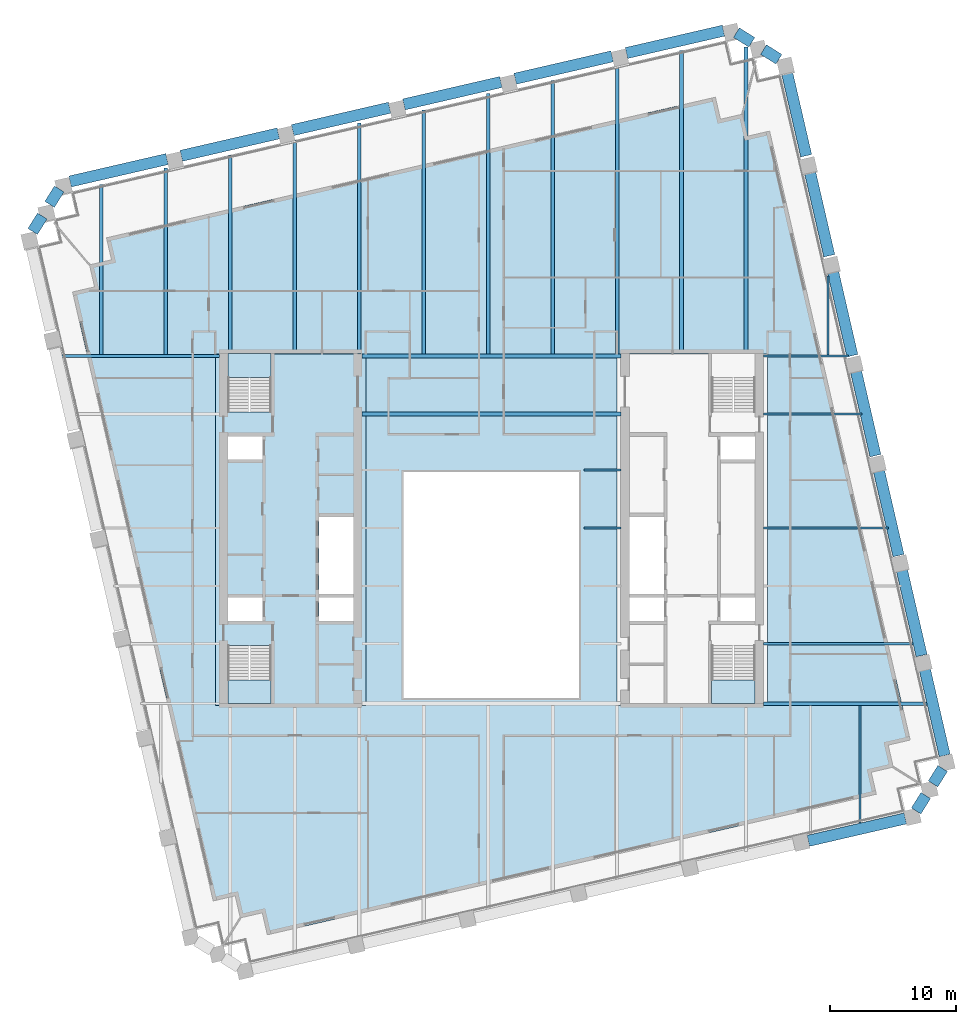
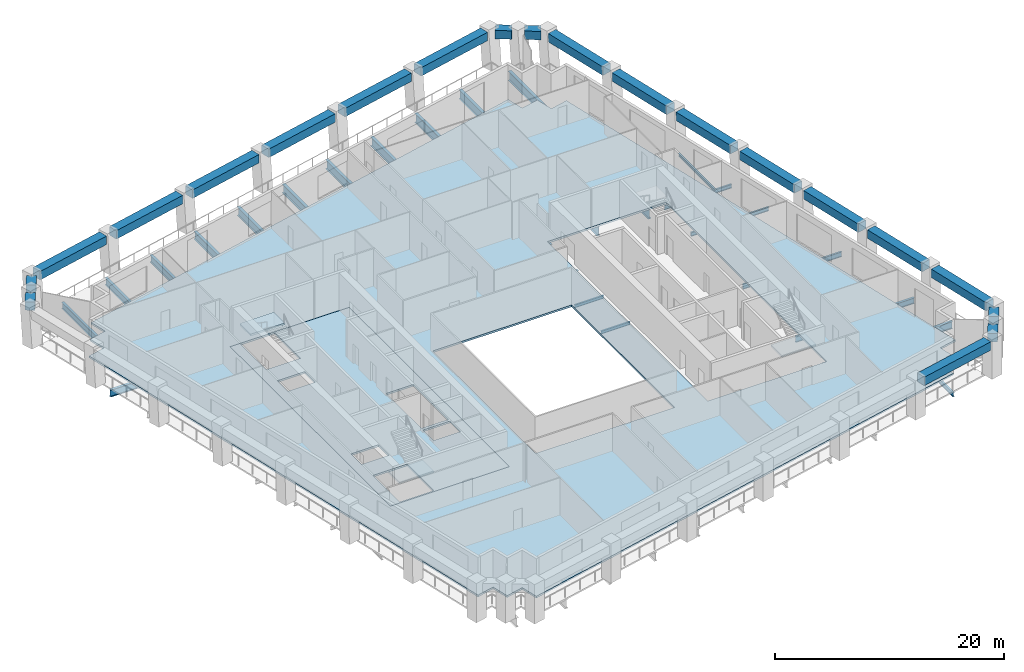
# One storey, part 2 of 10: 43 beams, 5 slabs, 3 elements without a shape of their own.
"""IFC4 building model written with IfcOpenShell, lengths in metres."""

from ifc_helpers import new_model, si_unit, direction, frame, origin, origin_2d, place, context, subcontext, project, spatial, polyline, rectangle, i_section, outline, extrude, material, layer, layer_set, material_profile, profile_set, type_object, element, aggregate, save


model = new_model("IFC4")

# Units and contexts
model_context = context("Model", 3, precision=1e-05, world=origin(), true_north=direction((0.0, 1.0)))
body_context = subcontext(model_context, "Body", "Model", "MODEL_VIEW")
ifc_project = project(units=[si_unit("LENGTHUNIT", "METRE"), si_unit("AREAUNIT", "SQUARE_METRE"), si_unit("VOLUMEUNIT", "CUBIC_METRE"), si_unit("PLANEANGLEUNIT", "RADIAN"), si_unit("MASSUNIT", "GRAM", prefix="KILO")], contexts=[model_context])

# Site, building, storey
site_placement = place(None, origin())
site = spatial("IfcSite", under=ifc_project, at=site_placement, CompositionType="ELEMENT")
building_placement = place(site_placement, origin())
building = spatial("IfcBuilding", under=site, at=building_placement, Name="Ogive Exchange Tower", CompositionType="ELEMENT")
storey_placement = place(building_placement, frame((0.0, 0.0, 192.60009765625)))
storey = spatial("IfcBuildingStorey", under=building, at=storey_placement, Name="L42", CompositionType="ELEMENT", Elevation=192.60009765625)

# Beams
ifc_material_1 = material(Name="Steel ASTM A992 Gr50", Category="steel")
ifc_material_profile_1 = material_profile(ifc_material_1, i_section(OverallWidth=0.300048828125, OverallDepth=0.97998046875, WebThickness=0.0166015625, FlangeThickness=0.026123046875, at=origin_2d()), Name="W1000x249")
ifc_profile_set_1 = profile_set([ifc_material_profile_1], Name="Steel ASTM A992 Gr50")
beam_type_1 = type_object("IfcBeamType", Name="Floor beam W1000x249", PredefinedType="JOIST", material=ifc_profile_set_1)
beam_1_placement = place(storey_placement, frame((-10.320068359375, 20.62255859375, -0.690185546875), z_axis=(1.0, 0.0, 0.0), x_axis=(0.0, 1.0, 0.0)))
element("IfcBeam", 1, at=beam_1_placement, inside=storey, type_object=beam_type_1, Name="Floor beam", PredefinedType="JOIST", context=body_context, shape_type="SweptSolid", body=[
    extrude(i_section(OverallWidth=0.300048828125, OverallDepth=0.97998046875, WebThickness=0.0166015625, FlangeThickness=0.026123046875, at=origin_2d()), origin(), (0.0, 0.0, 1.0), 20.64013671875),
])
beam_2_placement = place(storey_placement, frame((-0.255126953125, 25.39501953125, -0.690185546875), z_axis=(0.0, 1.0, 0.0), x_axis=(-1.0, 0.0, 0.0)))
element("IfcBeam", 2, at=beam_2_placement, inside=storey, type_object=beam_type_1, Name="Floor beam", PredefinedType="JOIST", context=body_context, shape_type="SweptSolid", body=[
    extrude(i_section(OverallWidth=0.300048828125, OverallDepth=0.97998046875, WebThickness=0.0166015625, FlangeThickness=0.026123046875, at=origin_2d()), origin(), (0.0, 0.0, 1.0), 20.775634765625),
])
beam_3_placement = place(storey_placement, frame((4.882568359375, 25.39501953125, -0.690185546875), z_axis=(0.0, 1.0, 0.0), x_axis=(-1.0, 0.0, 0.0)))
element("IfcBeam", 3, at=beam_3_placement, inside=storey, type_object=beam_type_1, Name="Floor beam", PredefinedType="JOIST", context=body_context, shape_type="SweptSolid", body=[
    extrude(i_section(OverallWidth=0.300048828125, OverallDepth=0.97998046875, WebThickness=0.0166015625, FlangeThickness=0.026123046875, at=origin_2d()), origin(), (0.0, 0.0, 1.0), 21.811767578125),
])
beam_4_placement = place(storey_placement, frame((10.0205078125, 25.39501953125, -0.690185546875), z_axis=(0.0, 1.0, 0.0), x_axis=(-1.0, 0.0, 0.0)))
element("IfcBeam", 4, at=beam_4_placement, inside=storey, type_object=beam_type_1, Name="Floor beam", PredefinedType="JOIST", context=body_context, shape_type="SweptSolid", body=[
    extrude(i_section(OverallWidth=0.300048828125, OverallDepth=0.97998046875, WebThickness=0.0166015625, FlangeThickness=0.026123046875, at=origin_2d()), origin(), (0.0, 0.0, 1.0), 22.997802734375),
])
beam_5_placement = place(storey_placement, frame((15.158203125, 25.39990234375, -0.690185546875), z_axis=(0.0, 1.0, 0.0), x_axis=(-1.0, 0.0, 0.0)))
element("IfcBeam", 5, at=beam_5_placement, inside=storey, type_object=beam_type_1, Name="Floor beam", PredefinedType="JOIST", context=body_context, shape_type="SweptSolid", body=[
    extrude(i_section(OverallWidth=0.300048828125, OverallDepth=0.97998046875, WebThickness=0.0166015625, FlangeThickness=0.026123046875, at=origin_2d()), origin(), (0.0, 0.0, 1.0), 24.17919921875),
])
beam_6_placement = place(storey_placement, frame((20.296142578125, 25.39990234375, -0.690185546875), z_axis=(0.0, 1.0, 0.0), x_axis=(-1.0, 0.0, 0.0)))
element("IfcBeam", 6, at=beam_6_placement, inside=storey, type_object=beam_type_1, Name="Floor beam", PredefinedType="JOIST", context=body_context, shape_type="SweptSolid", body=[
    extrude(i_section(OverallWidth=0.300048828125, OverallDepth=0.97998046875, WebThickness=0.0166015625, FlangeThickness=0.026123046875, at=origin_2d()), origin(), (0.0, 0.0, 1.0), 24.456298828125),
])
ifc_material_profile_2 = material_profile(ifc_material_1, i_section(OverallWidth=0.1650390625, OverallDepth=0.31005859375, WebThickness=0.005859375, FlangeThickness=0.009765625, at=origin_2d()), Name="W310x38.7")
ifc_profile_set_2 = profile_set([ifc_material_profile_2], Name="Steel ASTM A992 Gr50")
beam_type_2 = type_object("IfcBeamType", Name="Floor beam W310x38.7", PredefinedType="JOIST", material=ifc_profile_set_2)
beam_7_placement = place(storey_placement, frame((7.3701171875, 11.543701171875, -0.35498046875), z_axis=(1.0, 0.0, 0.0), x_axis=(0.0, 1.0, 0.0)))
element("IfcBeam", 7, at=beam_7_placement, inside=storey, type_object=beam_type_2, Name="Floor beam", PredefinedType="JOIST", context=body_context, shape_type="SweptSolid", body=[
    extrude(i_section(OverallWidth=0.1650390625, OverallDepth=0.31005859375, WebThickness=0.005859375, FlangeThickness=0.009765625, at=origin_2d()), origin(), (0.0, 0.0, 1.0), 2.949951171875),
])
beam_8_placement = place(storey_placement, frame((26.833984375, 25.333984375, -0.35498046875), z_axis=(0.0, 1.0, 0.0), x_axis=(-1.0, 0.0, 0.0)))
element("IfcBeam", 8, at=beam_8_placement, inside=storey, type_object=beam_type_2, Name="Floor beam", PredefinedType="JOIST", context=body_context, shape_type="SweptSolid", body=[
    extrude(i_section(OverallWidth=0.1650390625, OverallDepth=0.31005859375, WebThickness=0.005859375, FlangeThickness=0.009765625, at=origin_2d()), origin(), (0.0, 0.0, 1.0), 6.29833984375),
])
ifc_material_profile_3 = material_profile(ifc_material_1, i_section(OverallWidth=0.177978515625, OverallDepth=0.406005859375, WebThickness=0.0078125, FlangeThickness=0.0126953125, at=origin_2d()), Name="W410x60")
ifc_profile_set_3 = profile_set([ifc_material_profile_3], Name="Steel ASTM A992 Gr50")
beam_type_3 = type_object("IfcBeamType", Name="Floor beam W410x60", PredefinedType="JOIST", material=ifc_profile_set_3)
beam_9_placement = place(storey_placement, frame((21.679931640625, 20.62255859375, -0.403076171875), z_axis=(1.0, 0.0, 0.0), x_axis=(0.0, 1.0, 0.0)))
element("IfcBeam", 9, at=beam_9_placement, inside=storey, type_object=beam_type_3, Name="Floor beam", PredefinedType="JOIST", context=body_context, shape_type="SweptSolid", body=[
    extrude(i_section(OverallWidth=0.177978515625, OverallDepth=0.406005859375, WebThickness=0.0078125, FlangeThickness=0.0126953125, at=origin_2d()), origin(), (0.0, 0.0, 1.0), 7.845703125),
])
ifc_material_profile_4 = material_profile(ifc_material_1, i_section(OverallWidth=0.19091796875, OverallDepth=0.45703125, WebThickness=0.009033203125, FlangeThickness=0.014404296875, at=origin_2d()), Name="W460x74")
ifc_profile_set_4 = profile_set([ifc_material_profile_4], Name="Steel ASTM A992 Gr50")
beam_type_4 = type_object("IfcBeamType", Name="Floor beam W460x74", PredefinedType="JOIST", material=ifc_profile_set_4)
beam_10_placement = place(storey_placement, frame((29.37158203125, -11.969970703125, -0.4287109375), z_axis=(0.0, 1.0, 0.0), x_axis=(-1.0, 0.0, 0.0)))
element("IfcBeam", 10, at=beam_10_placement, inside=storey, type_object=beam_type_4, Name="Floor beam", PredefinedType="JOIST", context=body_context, shape_type="SweptSolid", body=[
    extrude(i_section(OverallWidth=0.19091796875, OverallDepth=0.45703125, WebThickness=0.009033203125, FlangeThickness=0.014404296875, at=origin_2d()), origin(), (0.0, 0.0, 1.0), 9.391357421875),
])
ifc_material_profile_5 = material_profile(ifc_material_1, i_section(OverallWidth=0.1669921875, OverallDepth=0.535888671875, WebThickness=0.01025390625, FlangeThickness=0.0166015625, at=origin_2d()), Name="W530x85")
ifc_profile_set_5 = profile_set([ifc_material_profile_5], Name="Steel ASTM A992 Gr50")
beam_type_5 = type_object("IfcBeamType", Name="Floor beam W530x85", PredefinedType="JOIST", material=ifc_profile_set_5)
beam_11_placement = place(storey_placement, frame((21.679931640625, 11.543701171875, -0.468017578125), z_axis=(1.0, 0.0, 0.0), x_axis=(0.0, 1.0, 0.0)))
element("IfcBeam", 11, at=beam_11_placement, inside=storey, type_object=beam_type_5, Name="Floor beam", PredefinedType="JOIST", context=body_context, shape_type="SweptSolid", body=[
    extrude(i_section(OverallWidth=0.1669921875, OverallDepth=0.535888671875, WebThickness=0.01025390625, FlangeThickness=0.0166015625, at=origin_2d()), origin(), (0.0, 0.0, 1.0), 9.941650390625),
])
ifc_material_profile_6 = material_profile(ifc_material_1, i_section(OverallWidth=0.22802734375, OverallDepth=0.60205078125, WebThickness=0.010498046875, FlangeThickness=0.014892578125, at=origin_2d()), Name="W610x101")
ifc_profile_set_6 = profile_set([ifc_material_profile_6], Name="Steel ASTM A992 Gr50")
beam_type_6 = type_object("IfcBeamType", Name="Floor beam W610x101", PredefinedType="JOIST", material=ifc_profile_set_6)
beam_12_placement = place(storey_placement, frame((21.679931640625, 2.3212890625, -0.5009765625), z_axis=(1.0, 0.0, 0.0), x_axis=(0.0, 1.0, 0.0)))
element("IfcBeam", 12, at=beam_12_placement, inside=storey, type_object=beam_type_6, Name="Floor beam", PredefinedType="JOIST", context=body_context, shape_type="SweptSolid", body=[
    extrude(i_section(OverallWidth=0.22802734375, OverallDepth=0.60205078125, WebThickness=0.010498046875, FlangeThickness=0.014892578125, at=origin_2d()), origin(), (0.0, 0.0, 1.0), 11.9208984375),
])
ifc_material_profile_7 = material_profile(ifc_material_1, i_section(OverallWidth=0.25390625, OverallDepth=0.677978515625, WebThickness=0.01171875, FlangeThickness=0.016357421875, at=origin_2d()), Name="W690x125")
ifc_profile_set_7 = profile_set([ifc_material_profile_7], Name="Steel ASTM A992 Gr50")
beam_type_7 = type_object("IfcBeamType", Name="Floor beam W690x125", PredefinedType="JOIST", material=ifc_profile_set_7)
beam_13_placement = place(storey_placement, frame((-31.08203125, 25.37841796875, -0.5390625), z_axis=(0.0, 1.0, 0.0), x_axis=(-1.0, 0.0, 0.0)))
element("IfcBeam", 13, at=beam_13_placement, inside=storey, type_object=beam_type_7, Name="Floor beam", PredefinedType="JOIST", context=body_context, shape_type="SweptSolid", body=[
    extrude(i_section(OverallWidth=0.25390625, OverallDepth=0.677978515625, WebThickness=0.01171875, FlangeThickness=0.016357421875, at=origin_2d()), origin(), (0.0, 0.0, 1.0), 13.525390625),
])
ifc_material_profile_8 = material_profile(ifc_material_1, i_section(OverallWidth=0.26708984375, OverallDepth=0.75390625, WebThickness=0.01318359375, FlangeThickness=0.01708984375, at=origin_2d()), Name="W760x147")
ifc_profile_set_8 = profile_set([ifc_material_profile_8], Name="Steel ASTM A992 Gr50")
beam_type_8 = type_object("IfcBeamType", Name="Floor beam W760x147", PredefinedType="JOIST", material=ifc_profile_set_8)
beam_14_placement = place(storey_placement, frame((-25.9443359375, 25.37841796875, -0.5771484375), z_axis=(0.0, 1.0, 0.0), x_axis=(-1.0, 0.0, 0.0)))
element("IfcBeam", 14, at=beam_14_placement, inside=storey, type_object=beam_type_8, Name="Floor beam", PredefinedType="JOIST", context=body_context, shape_type="SweptSolid", body=[
    extrude(i_section(OverallWidth=0.26708984375, OverallDepth=0.75390625, WebThickness=0.01318359375, FlangeThickness=0.01708984375, at=origin_2d()), origin(), (0.0, 0.0, 1.0), 14.861328125),
])
ifc_material_profile_9 = material_profile(ifc_material_1, i_section(OverallWidth=0.26708984375, OverallDepth=0.761962890625, WebThickness=0.014404296875, FlangeThickness=0.021484375, at=origin_2d()), Name="W760x173")
ifc_profile_set_9 = profile_set([ifc_material_profile_9], Name="Steel ASTM A992 Gr50")
beam_type_9 = type_object("IfcBeamType", Name="Floor beam W760x173", PredefinedType="JOIST", material=ifc_profile_set_9)
beam_15_placement = place(storey_placement, frame((-20.806396484375, 25.39990234375, -0.5810546875), z_axis=(0.0, 1.0, 0.0), x_axis=(-1.0, 0.0, 0.0)))
element("IfcBeam", 15, at=beam_15_placement, inside=storey, type_object=beam_type_9, Name="Floor beam", PredefinedType="JOIST", context=body_context, shape_type="SweptSolid", body=[
    extrude(i_section(OverallWidth=0.26708984375, OverallDepth=0.761962890625, WebThickness=0.014404296875, FlangeThickness=0.021484375, at=origin_2d()), origin(), (0.0, 0.0, 1.0), 15.8759765625),
])
ifc_material_profile_10 = material_profile(ifc_material_1, i_section(OverallWidth=0.2919921875, OverallDepth=0.8359375, WebThickness=0.013916015625, FlangeThickness=0.018798828125, at=origin_2d()), Name="W840x176")
ifc_profile_set_10 = profile_set([ifc_material_profile_10], Name="Steel ASTM A992 Gr50")
beam_type_10 = type_object("IfcBeamType", Name="Floor beam W840x176", PredefinedType="JOIST", material=ifc_profile_set_10)
beam_16_placement = place(storey_placement, frame((-15.668701171875, 25.39990234375, -0.6181640625), z_axis=(0.0, 1.0, 0.0), x_axis=(-1.0, 0.0, 0.0)))
element("IfcBeam", 16, at=beam_16_placement, inside=storey, type_object=beam_type_10, Name="Floor beam", PredefinedType="JOIST", context=body_context, shape_type="SweptSolid", body=[
    extrude(i_section(OverallWidth=0.2919921875, OverallDepth=0.8359375, WebThickness=0.013916015625, FlangeThickness=0.018798828125, at=origin_2d()), origin(), (0.0, 0.0, 1.0), 17.062255859375),
])
ifc_material_profile_11 = material_profile(ifc_material_1, i_section(OverallWidth=0.304931640625, OverallDepth=0.904052734375, WebThickness=0.01513671875, FlangeThickness=0.02001953125, at=origin_2d()), Name="W920x201")
ifc_profile_set_11 = profile_set([ifc_material_profile_11], Name="Steel ASTM A992 Gr50")
beam_type_11 = type_object("IfcBeamType", Name="Floor beam W920x201", PredefinedType="JOIST", material=ifc_profile_set_11)
beam_17_placement = place(storey_placement, frame((-10.53076171875, 25.39990234375, -0.652099609375), z_axis=(0.0, 1.0, 0.0), x_axis=(-1.0, 0.0, 0.0)))
element("IfcBeam", 17, at=beam_17_placement, inside=storey, type_object=beam_type_11, Name="Floor beam", PredefinedType="JOIST", context=body_context, shape_type="SweptSolid", body=[
    extrude(i_section(OverallWidth=0.304931640625, OverallDepth=0.904052734375, WebThickness=0.01513671875, FlangeThickness=0.02001953125, at=origin_2d()), origin(), (0.0, 0.0, 1.0), 18.3984375),
])
ifc_material_profile_12 = material_profile(ifc_material_1, i_section(OverallWidth=0.306884765625, OverallDepth=0.927001953125, WebThickness=0.019287109375, FlangeThickness=0.031982421875, at=origin_2d()), Name="W920x289")
ifc_profile_set_12 = profile_set([ifc_material_profile_12], Name="Steel ASTM A992 Gr50")
beam_type_12 = type_object("IfcBeamType", Name="Floor beam W920x289", PredefinedType="JOIST", material=ifc_profile_set_12)
beam_18_placement = place(storey_placement, frame((-5.39306640625, 25.39501953125, -0.66357421875), z_axis=(0.0, 1.0, 0.0), x_axis=(-1.0, 0.0, 0.0)))
element("IfcBeam", 18, at=beam_18_placement, inside=storey, type_object=beam_type_12, Name="Floor beam", PredefinedType="JOIST", context=body_context, shape_type="SweptSolid", body=[
    extrude(i_section(OverallWidth=0.306884765625, OverallDepth=0.927001953125, WebThickness=0.019287109375, FlangeThickness=0.031982421875, at=origin_2d()), origin(), (0.0, 0.0, 1.0), 19.439453125),
])
ifc_material_profile_13 = material_profile(ifc_material_1, i_section(OverallWidth=0.300048828125, OverallDepth=0.97998046875, WebThickness=0.0166015625, FlangeThickness=0.026123046875, at=origin_2d()), Name="W1000x249")
ifc_profile_set_13 = profile_set([ifc_material_profile_13], Name="Steel ASTM A992 Gr50")
beam_type_13 = type_object("IfcBeamType", Name="Girder W1000x249", PredefinedType="BEAM", material=ifc_profile_set_13)
beam_19_placement = place(storey_placement, frame((-10.320068359375, 25.2451171875, -0.690185546875), z_axis=(1.0, 0.0, 0.0), x_axis=(0.0, 1.0, 0.0)))
element("IfcBeam", 19, at=beam_19_placement, inside=storey, type_object=beam_type_13, Name="Header girder", PredefinedType="BEAM", context=body_context, shape_type="SweptSolid", body=[
    extrude(i_section(OverallWidth=0.300048828125, OverallDepth=0.97998046875, WebThickness=0.0166015625, FlangeThickness=0.026123046875, at=origin_2d()), origin(), (0.0, 0.0, 1.0), 20.64013671875),
])
ifc_material_profile_14 = material_profile(ifc_material_1, i_section(OverallWidth=0.1650390625, OverallDepth=0.31005859375, WebThickness=0.005859375, FlangeThickness=0.009765625, at=origin_2d()), Name="W310x38.7")
ifc_profile_set_14 = profile_set([ifc_material_profile_14], Name="Steel ASTM A992 Gr50")
beam_type_14 = type_object("IfcBeamType", Name="Girder W310x38.7", PredefinedType="BEAM", material=ifc_profile_set_14)
beam_20_placement = place(storey_placement, frame((7.3701171875, 16.155029296875, -0.35498046875), z_axis=(1.0, 0.0, 0.0), x_axis=(0.0, 1.0, 0.0)))
element("IfcBeam", 20, at=beam_20_placement, inside=storey, type_object=beam_type_14, Name="Trimmer girder", PredefinedType="BEAM", context=body_context, shape_type="SweptSolid", body=[
    extrude(i_section(OverallWidth=0.1650390625, OverallDepth=0.31005859375, WebThickness=0.005859375, FlangeThickness=0.009765625, at=origin_2d()), origin(), (0.0, 0.0, 1.0), 2.949951171875),
])
ifc_material_profile_15 = material_profile(ifc_material_1, i_section(OverallWidth=0.177978515625, OverallDepth=0.406005859375, WebThickness=0.0078125, FlangeThickness=0.0126953125, at=origin_2d()), Name="W410x60")
ifc_profile_set_15 = profile_set([ifc_material_profile_15], Name="Steel ASTM A992 Gr50")
beam_type_15 = type_object("IfcBeamType", Name="Girder W410x60", PredefinedType="BEAM", material=ifc_profile_set_15)
beam_21_placement = place(storey_placement, frame((21.679931640625, 25.2451171875, -0.403076171875), z_axis=(1.0, 0.0, 0.0), x_axis=(0.0, 1.0, 0.0)))
element("IfcBeam", 21, at=beam_21_placement, inside=storey, type_object=beam_type_15, Name="Header girder", PredefinedType="BEAM", context=body_context, shape_type="SweptSolid", body=[
    extrude(i_section(OverallWidth=0.177978515625, OverallDepth=0.406005859375, WebThickness=0.0078125, FlangeThickness=0.0126953125, at=origin_2d()), origin(), (0.0, 0.0, 1.0), 6.778564453125),
])
ifc_material_profile_16 = material_profile(ifc_material_1, i_section(OverallWidth=0.26708984375, OverallDepth=0.75390625, WebThickness=0.01318359375, FlangeThickness=0.01708984375, at=origin_2d()), Name="W760x147")
ifc_profile_set_16 = profile_set([ifc_material_profile_16], Name="Steel ASTM A992 Gr50")
beam_type_16 = type_object("IfcBeamType", Name="Girder W760x147", PredefinedType="BEAM", material=ifc_profile_set_16)
beam_22_placement = place(storey_placement, frame((21.679931640625, -2.445068359375, -0.5771484375), z_axis=(1.0, 0.0, 0.0), x_axis=(0.0, 1.0, 0.0)))
element("IfcBeam", 22, at=beam_22_placement, inside=storey, type_object=beam_type_16, Name="Header girder", PredefinedType="BEAM", context=body_context, shape_type="SweptSolid", body=[
    extrude(i_section(OverallWidth=0.26708984375, OverallDepth=0.75390625, WebThickness=0.01318359375, FlangeThickness=0.01708984375, at=origin_2d()), origin(), (0.0, 0.0, 1.0), 13.021484375),
])
beam_23_placement = place(storey_placement, frame((-34.193359375, 25.2451171875, -0.5771484375), z_axis=(1.0, 0.0, 0.0), x_axis=(0.0, 1.0, 0.0)))
element("IfcBeam", 23, at=beam_23_placement, inside=storey, type_object=beam_type_16, Name="Header girder", PredefinedType="BEAM", context=body_context, shape_type="SweptSolid", body=[
    extrude(i_section(OverallWidth=0.26708984375, OverallDepth=0.75390625, WebThickness=0.01318359375, FlangeThickness=0.01708984375, at=origin_2d()), origin(), (0.0, 0.0, 1.0), 12.513427734375),
])
ifc_material_2 = material(Name="Precast concrete C70/85 (limestone faced)", Category="masonry")
ifc_material_profile_17 = material_profile(ifc_material_2, rectangle(XDim=0.89990234375, YDim=0.89990234375, at=origin_2d()), Name="900 x 900")
ifc_profile_set_17 = profile_set([ifc_material_profile_17], Name="Precast concrete C70/85 (limestone faced)")
beam_type_17 = type_object("IfcBeamType", Name="Precast spandrel 900 x 900 C70/85", PredefinedType="SPANDREL", material=ifc_profile_set_17)
beam_24_placement = place(storey_placement, frame((25.249755859375, -13.383544921875, 3.5), z_axis=(0.974368388194, 0.224958316335, 0.0), x_axis=(-0.224958316335, 0.974368388194, 0.0)))
element("IfcBeam", 24, at=beam_24_placement, inside=storey, type_object=beam_type_17, Name="Spandrel 6", PredefinedType="SPANDREL", context=body_context, shape_type="SweptSolid", body=[
    extrude(rectangle(XDim=0.89990234375, YDim=0.89990234375, at=origin_2d()), origin(), (0.0, 0.0, 1.0), 7.93994140625),
])
for number, where, z_axis, x_axis, name in (
    (25, (33.842041015625, -11.001708984375, 3.5), (0.529877740036, 0.848074041941, 0.0), (-0.848074041941, 0.529877740036, 0.0), "Spandrel 7"),
    (26, (35.19091796875, -8.843017578125, 3.5), (0.529877740036, 0.848074041941, 0.0), (-0.848074041941, 0.529877740036, 0.0), "Spandrel 8"),
):
    element("IfcBeam", number, at=place(storey_placement, frame(where, z_axis=z_axis, x_axis=x_axis)), inside=storey, type_object=beam_type_17, Name=name, PredefinedType="SPANDREL", context=body_context, shape_type="SweptSolid", body=[
        extrude(rectangle(XDim=0.89990234375, YDim=0.89990234375, at=origin_2d()), origin(), (0.0, 0.0, 1.0), 1.448486328125),
    ])
for number, where, z_axis, x_axis, name in (
    (27, (36.11865234375, -6.584228515625, 3.5), (-0.224945932181, 0.974371247316, 0.0), (-0.974371247316, -0.224945932181, 0.0), "Spandrel 9"),
    (28, (34.27978515625, 1.380859375, 3.5), (-0.224945932181, 0.974371247316, 0.0), (-0.974371247316, -0.224945932181, 0.0), "Spandrel 10"),
    (29, (32.44091796875, 9.345947265625, 3.5), (-0.224945932181, 0.974371247316, 0.0), (-0.974371247316, -0.224945932181, 0.0), "Spandrel 11"),
):
    element("IfcBeam", number, at=place(storey_placement, frame(where, z_axis=z_axis, x_axis=x_axis)), inside=storey, type_object=beam_type_17, Name=name, PredefinedType="SPANDREL", context=body_context, shape_type="SweptSolid", body=[
        extrude(rectangle(XDim=0.89990234375, YDim=0.89990234375, at=origin_2d()), origin(), (0.0, 0.0, 1.0), 7.014404296875),
    ])
beam_25_placement = place(storey_placement, frame((30.60205078125, 17.310791015625, 3.5), z_axis=(-0.224938303802, 0.974373008392, 0.0), x_axis=(-0.974373008392, -0.224938303802, 0.0)))
element("IfcBeam", 30, at=beam_25_placement, inside=storey, type_object=beam_type_17, Name="Spandrel 12", PredefinedType="SPANDREL", context=body_context, shape_type="SweptSolid", body=[
    extrude(rectangle(XDim=0.89990234375, YDim=0.89990234375, at=origin_2d()), origin(), (0.0, 0.0, 1.0), 7.0146484375),
])
for number, where, z_axis, x_axis, name in (
    (31, (28.76318359375, 25.27587890625, 3.5), (-0.224945932181, 0.974371247316, 0.0), (-0.974371247316, -0.224945932181, 0.0), "Spandrel 13"),
    (32, (26.92431640625, 33.240966796875, 3.5), (-0.224945932181, 0.974371247316, 0.0), (-0.974371247316, -0.224945932181, 0.0), "Spandrel 14"),
    (33, (25.08544921875, 41.2060546875, 3.5), (-0.224945932181, 0.974371247316, 0.0), (-0.974371247316, -0.224945932181, 0.0), "Spandrel 15"),
):
    element("IfcBeam", number, at=place(storey_placement, frame(where, z_axis=z_axis, x_axis=x_axis)), inside=storey, type_object=beam_type_17, Name=name, PredefinedType="SPANDREL", context=body_context, shape_type="SweptSolid", body=[
        extrude(rectangle(XDim=0.89990234375, YDim=0.89990234375, at=origin_2d()), origin(), (0.0, 0.0, 1.0), 7.014404296875),
    ])
for number, where, z_axis, x_axis, name in (
    (34, (22.911865234375, 48.896484375, 3.5), (-0.847950956461, 0.530074688545, 0.0), (-0.530074688545, -0.847950956461, 0.0), "Spandrel 16"),
    (35, (20.753173828125, 50.24560546875, 3.5), (-0.848074041941, 0.529877740036, 0.0), (-0.529877740036, -0.848074041941, 0.0), "Spandrel 17"),
):
    element("IfcBeam", number, at=place(storey_placement, frame(where, z_axis=z_axis, x_axis=x_axis)), inside=storey, type_object=beam_type_17, Name=name, PredefinedType="SPANDREL", context=body_context, shape_type="SweptSolid", body=[
        extrude(rectangle(XDim=0.89990234375, YDim=0.89990234375, at=origin_2d()), origin(), (0.0, 0.0, 1.0), 1.448486328125),
    ])
for number, where, z_axis, x_axis, name in (
    (36, (18.494384765625, 51.17333984375, 3.5), (-0.974369944206, -0.224951576629, 0.0), (0.224951576629, -0.974369944206, 0.0), "Spandrel 18"),
    (37, (9.627685546875, 49.126220703125, 3.5), (-0.974369944206, -0.224951576629, 0.0), (0.224951576629, -0.974369944206, 0.0), "Spandrel 19"),
    (38, (0.760986328125, 47.079345703125, 3.5), (-0.974369944206, -0.224951576629, 0.0), (0.224951576629, -0.974369944206, 0.0), "Spandrel 20"),
):
    element("IfcBeam", number, at=place(storey_placement, frame(where, z_axis=z_axis, x_axis=x_axis)), inside=storey, type_object=beam_type_17, Name=name, PredefinedType="SPANDREL", context=body_context, shape_type="SweptSolid", body=[
        extrude(rectangle(XDim=0.89990234375, YDim=0.89990234375, at=origin_2d()), origin(), (0.0, 0.0, 1.0), 7.940185546875),
    ])
beam_26_placement = place(storey_placement, frame((-8.10595703125, 45.0322265625, 3.5), z_axis=(-0.974368388194, -0.224958316335, 0.0), x_axis=(0.224958316335, -0.974368388194, 0.0)))
element("IfcBeam", 39, at=beam_26_placement, inside=storey, type_object=beam_type_17, Name="Spandrel 21", PredefinedType="SPANDREL", context=body_context, shape_type="SweptSolid", body=[
    extrude(rectangle(XDim=0.89990234375, YDim=0.89990234375, at=origin_2d()), origin(), (0.0, 0.0, 1.0), 7.93994140625),
])
beam_27_placement = place(storey_placement, frame((-16.97265625, 42.985107421875, 3.5), z_axis=(-0.974369944206, -0.224951576629, 0.0), x_axis=(0.224951576629, -0.974369944206, 0.0)))
element("IfcBeam", 40, at=beam_27_placement, inside=storey, type_object=beam_type_17, Name="Spandrel 22", PredefinedType="SPANDREL", context=body_context, shape_type="SweptSolid", body=[
    extrude(rectangle(XDim=0.89990234375, YDim=0.89990234375, at=origin_2d()), origin(), (0.0, 0.0, 1.0), 7.940185546875),
])
beam_28_placement = place(storey_placement, frame((-25.83935546875, 40.93798828125, 3.5), z_axis=(-0.974376683324, -0.224922384377, 0.0), x_axis=(0.224922384377, -0.974376683324, 0.0)))
element("IfcBeam", 41, at=beam_28_placement, inside=storey, type_object=beam_type_17, Name="Spandrel 23", PredefinedType="SPANDREL", context=body_context, shape_type="SweptSolid", body=[
    extrude(rectangle(XDim=0.89990234375, YDim=0.89990234375, at=origin_2d()), origin(), (0.0, 0.0, 1.0), 7.93994140625),
])
for number, where, z_axis, x_axis, name in (
    (42, (-34.431884765625, 38.556396484375, 3.5), (-0.529877740036, -0.848074041941, 0.0), (0.848074041941, -0.529877740036, 0.0), "Spandrel 24"),
    (43, (-35.78076171875, 36.397705078125, 3.5), (-0.529877740036, -0.848074041941, 0.0), (0.848074041941, -0.529877740036, 0.0), "Spandrel 25"),
):
    element("IfcBeam", number, at=place(storey_placement, frame(where, z_axis=z_axis, x_axis=x_axis)), inside=storey, type_object=beam_type_17, Name=name, PredefinedType="SPANDREL", context=body_context, shape_type="SweptSolid", body=[
        extrude(rectangle(XDim=0.89990234375, YDim=0.89990234375, at=origin_2d()), origin(), (0.0, 0.0, 1.0), 1.448486328125),
    ])

# Slabs
ifc_material_3 = material(Name="Concrete C50/60", Category="concrete")
ifc_layer_1 = layer(ifc_material_3, 0.199951171875)
ifc_layer_set_1 = layer_set([ifc_layer_1], Name="Composite floor slab 200")
slab_type_1 = type_object("IfcSlabType", Name="Composite floor slab 200", PredefinedType="FLOOR", material=ifc_layer_set_1)
slab_1_placement = place(storey_placement, frame((0.0, 0.0, -0.2001953125)))
element("IfcSlab", 44, at=slab_1_placement, inside=storey, type_object=slab_type_1, Name="Composite floor slab", PredefinedType="FLOOR", context=body_context, shape_type="SweptSolid", body=[
    extrude(outline(polyline([(-18.255615234375, -19.116943359375), (-20.009521484375, -19.52197265625), (-20.414306640625, -17.76806640625), (-22.168212890625, -18.1728515625), (-33.370849609375, 30.3505859375), (-31.616943359375, 30.755615234375), (-32.02197265625, 32.509521484375), (-30.26806640625, 32.914306640625), (-30.6728515625, 34.668212890625), (17.8505859375, 45.870849609375), (18.255615234375, 44.116943359375), (20.009521484375, 44.52197265625), (20.414306640625, 42.76806640625), (22.168212890625, 43.1728515625), (33.370849609375, -5.3505859375), (31.616943359375, -5.755615234375), (32.02197265625, -7.509521484375), (30.26806640625, -7.914306640625), (30.6728515625, -9.668212890625), (-17.8505859375, -20.870849609375), (-18.255615234375, -19.116943359375)]), holes=[polyline([(7.0, -2.0), (7.0, 16.0), (-7.0, 16.0), (-7.0, -2.0), (7.0, -2.0)]), polyline([(-22.0, -2.60009765625), (-10.0, -2.60009765625), (-10.0, 25.39990234375), (-22.0, 25.39990234375), (-22.0, -2.60009765625)]), polyline([(10.0, -2.60009765625), (22.0, -2.60009765625), (22.0, 25.39990234375), (10.0, 25.39990234375), (10.0, -2.60009765625)])]), origin(), (0.0, 0.0, 1.0), 0.2001953125),
])
ifc_material_4 = material(Name="Concrete C70/85", Category="concrete")
ifc_layer_2 = layer(ifc_material_4, 0.199951171875)
ifc_layer_set_2 = layer_set([ifc_layer_2], Name="Core floor slab 200")
slab_type_2 = type_object("IfcSlabType", Name="Core floor slab 200", PredefinedType="FLOOR", material=ifc_layer_set_2)
slab_2_placement = place(storey_placement, frame((0.0, 0.0, -0.2001953125)))
element("IfcSlab", 45, at=slab_2_placement, inside=storey, type_object=slab_type_2, Name="Core floor slab", PredefinedType="FLOOR", context=body_context, shape_type="SweptSolid", body=[
    extrude(outline(polyline([(-10.0, 25.39990234375), (-10.0, -2.60009765625), (-22.0, -2.60009765625), (-22.0, 25.39990234375), (-21.0, 25.39990234375), (-21.0, 20.803955078125), (-17.550048828125, 20.803955078125), (-17.550048828125, 25.39990234375), (-10.0, 25.39990234375)]), holes=[polyline([(-17.550048828125, 2.196044921875), (-21.0, 2.196044921875), (-21.0, -2.449951171875), (-17.550048828125, -2.449951171875), (-17.550048828125, 2.196044921875)]), polyline([(-18.25, 5.992919921875), (-21.0, 5.992919921875), (-21.0, 4.14990234375), (-18.25, 4.14990234375), (-18.25, 5.992919921875)]), polyline([(-11.0, 5.992919921875), (-13.75, 5.992919921875), (-13.75, 4.14990234375), (-11.0, 4.14990234375), (-11.0, 5.992919921875)]), polyline([(-13.75, 12.42138671875), (-13.75, 6.29296875), (-11.0, 6.29296875), (-11.0, 12.42138671875), (-13.75, 12.42138671875)]), polyline([(-18.25, 18.85009765625), (-21.0, 18.85009765625), (-21.0, 17.007080078125), (-18.25, 17.007080078125), (-18.25, 18.85009765625)])]), origin(), (0.0, 0.0, 1.0), 0.2001953125),
])

# Stair, slab
ifc_material_5 = material(Name="Concrete C40/50", Category="concrete")
stair_type = type_object("IfcStairType", Name="Exit stair 1650 wide", PredefinedType="HALF_TURN_STAIR", material=ifc_material_5)
stair_1_placement = place(storey_placement, origin())
stair_1 = element("IfcStair", 46, at=stair_1_placement, inside=storey, type_object=stair_type, Name="L42 exit stair ST1", PredefinedType="HALF_TURN_STAIR")
ifc_layer_3 = layer(ifc_material_5, 0.199951171875)
ifc_layer_set_3 = layer_set([ifc_layer_3], Name="Stair landing 200 slab")
slab_type_3 = type_object("IfcSlabType", Name="Stair landing 200 slab", PredefinedType="LANDING", material=ifc_layer_set_3)
slab_3_placement = place(storey_placement, frame((0.0, 0.0, 1.89990234375)))
slab_3 = element("IfcSlab", 47, at=slab_3_placement, type_object=slab_type_3, Name="ST1 landing 1", PredefinedType="LANDING", context=body_context, shape_type="SweptSolid", body=[
    extrude(outline(polyline([(-21.0, -0.550048828125), (-21.0, -2.449951171875), (-17.550048828125, -2.449951171875), (-17.550048828125, -0.550048828125), (-21.0, -0.550048828125)])), origin(), (0.0, 0.0, 1.0), 0.199951171875),
])
aggregate(stair_1, [slab_3])

stair_2_placement = place(storey_placement, origin())
stair_2 = element("IfcStair", 48, at=stair_2_placement, inside=storey, type_object=stair_type, Name="L42 exit stair ST2", PredefinedType="HALF_TURN_STAIR")
slab_4_placement = place(storey_placement, frame((0.0, 0.0, 1.89990234375)))
slab_4 = element("IfcSlab", 49, at=slab_4_placement, type_object=slab_type_3, Name="ST2 landing 1", PredefinedType="LANDING", context=body_context, shape_type="SweptSolid", body=[
    extrude(outline(polyline([(-17.550048828125, 23.550048828125), (-17.550048828125, 25.449951171875), (-21.0, 25.449951171875), (-21.0, 23.550048828125), (-17.550048828125, 23.550048828125)])), origin(), (0.0, 0.0, 1.0), 0.199951171875),
])
aggregate(stair_2, [slab_4])

stair_3_placement = place(storey_placement, origin())
stair_3 = element("IfcStair", 50, at=stair_3_placement, inside=storey, type_object=stair_type, Name="L42 exit stair ST3", PredefinedType="HALF_TURN_STAIR")
slab_5_placement = place(storey_placement, frame((0.0, 0.0, 1.89990234375)))
slab_5 = element("IfcSlab", 51, at=slab_5_placement, type_object=slab_type_3, Name="ST3 landing 1", PredefinedType="LANDING", context=body_context, shape_type="SweptSolid", body=[
    extrude(outline(polyline([(17.550048828125, -0.550048828125), (17.550048828125, -2.449951171875), (21.0, -2.449951171875), (21.0, -0.550048828125), (17.550048828125, -0.550048828125)])), origin(), (0.0, 0.0, 1.0), 0.199951171875),
])
aggregate(stair_3, [slab_5])

save(model, "model.ifc")
